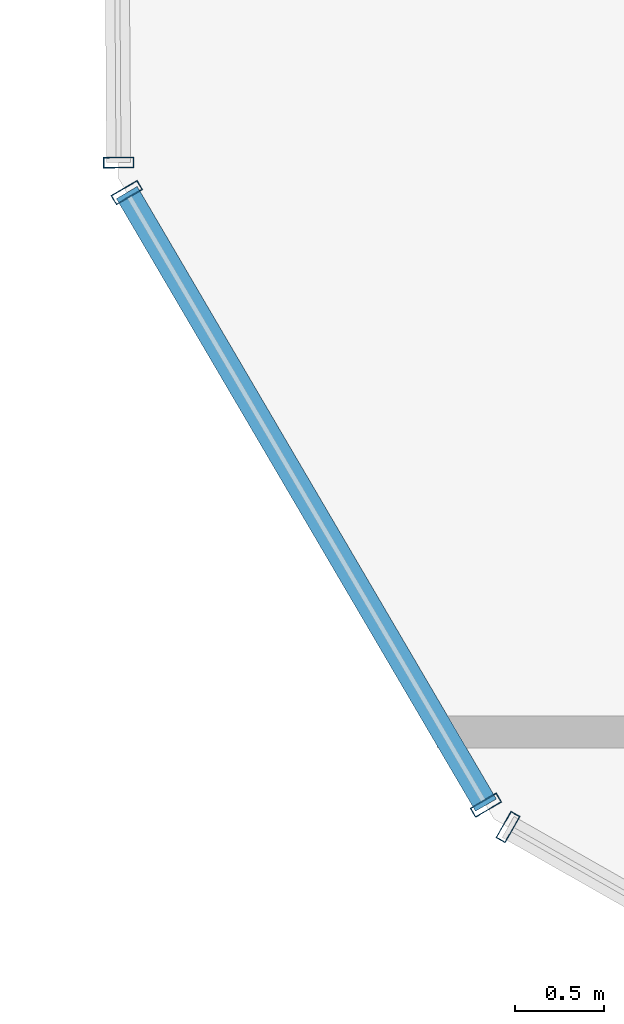
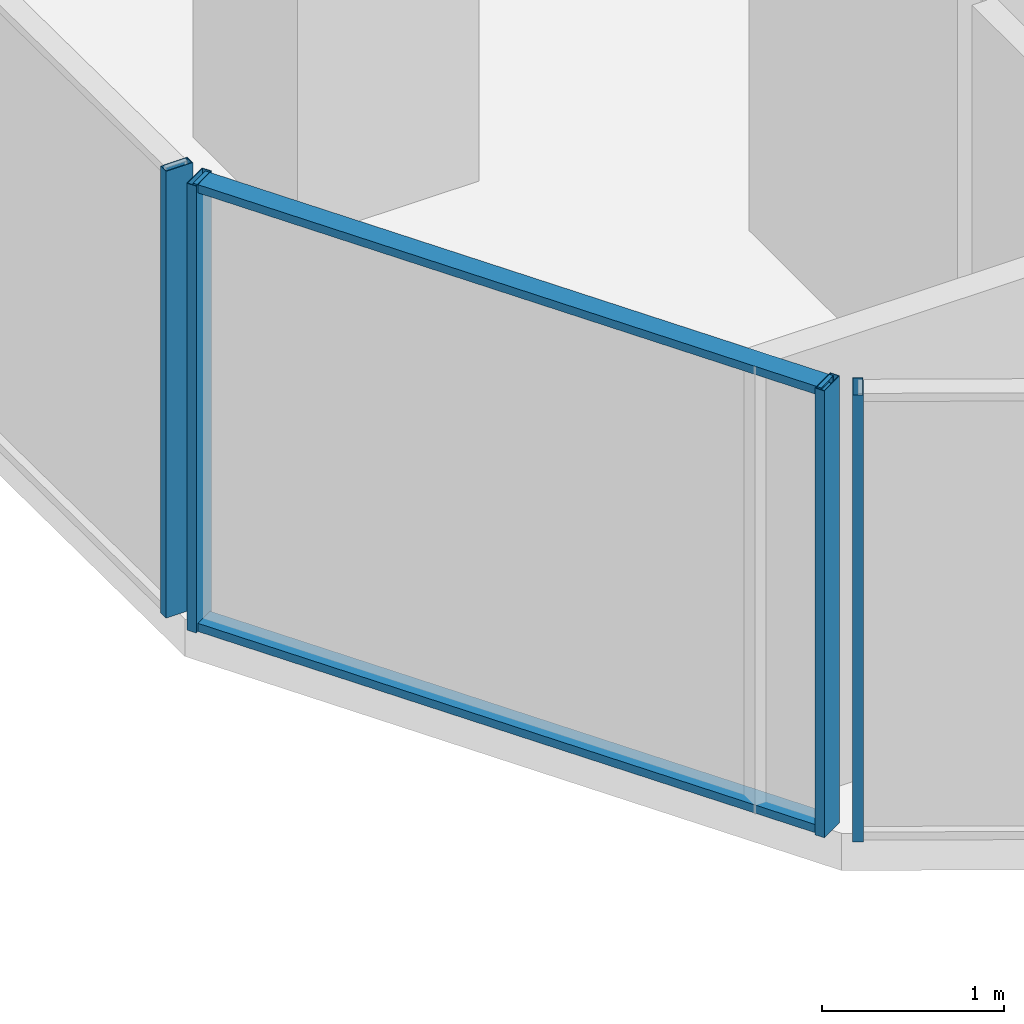
# One storey, part 4 of 30: 6 members, 3 elements without a shape of their own.
"""IFC4 building model written with IfcOpenShell, lengths in metres."""

from ifc_helpers import new_model, si_unit, direction, frame, origin, origin_2d, place, context, subcontext, project, spatial, hollow_rectangle, extrude, source, transform, mapped, material, layer, layer_set, material_profile, profile_set, type_object, element, aggregate, save


model = new_model("IFC4")

# Units and contexts
model_context = context("Model", 3, precision=1e-05, world=origin(), true_north=direction((0.0, 1.0)))
body_context = subcontext(model_context, "Body", "Model", "MODEL_VIEW")
ifc_project = project(units=[si_unit("LENGTHUNIT", "METRE"), si_unit("AREAUNIT", "SQUARE_METRE"), si_unit("VOLUMEUNIT", "CUBIC_METRE"), si_unit("PLANEANGLEUNIT", "RADIAN"), si_unit("MASSUNIT", "GRAM", prefix="KILO")], contexts=[model_context])

# Site, building, storey
site_placement = place(None, origin())
site = spatial("IfcSite", under=ifc_project, at=site_placement, CompositionType="ELEMENT")
building_placement = place(site_placement, origin())
building = spatial("IfcBuilding", under=site, at=building_placement, Name="Veraguas Prism Commons", CompositionType="ELEMENT")
storey_placement = place(building_placement, frame((0.0, 0.0, 129.5)))
storey = spatial("IfcBuildingStorey", under=building, at=storey_placement, Name="L36", CompositionType="ELEMENT", Elevation=129.5)

# Curtain wall, member
ifc_material = material(Name="Anodised aluminium EN AW-6063 T6", Category="aluminium")
ifc_layer = layer(ifc_material, 0.169921875, Name="Unitised Flush Curtain Wall Zone 2", Category="aluminium")
ifc_layer_set = layer_set([ifc_layer], Name="Anodised aluminium EN AW-6063 T6")
curtain_wall_type = type_object("IfcCurtainWallType", Name="Unitised Flush Curtain Wall Zone 2", PredefinedType="NOTDEFINED", material=ifc_layer_set)
curtain_wall_1_placement = place(storey_placement, origin())
curtain_wall_1 = element("IfcCurtainWall", 1, at=curtain_wall_1_placement, inside=storey, type_object=curtain_wall_type, Name="Tower Facade Curtain Wall L36-F3", PredefinedType="NOTDEFINED")
ifc_material_profile_1 = material_profile(ifc_material, hollow_rectangle(XDim=0.06005859375, YDim=0.169921875, WallThickness=0.00390625, at=origin_2d()), Name="AL60X170X4")
ifc_profile_set_1 = profile_set([ifc_material_profile_1], Name="Anodised aluminium EN AW-6063 T6")
member_type_1 = type_object("IfcMemberType", Name="Curtain Wall Mullion Lower AL 60x170x4", PredefinedType="MULLION", material=ifc_profile_set_1)
shared_shape_1 = source(origin(), body_context, "Body", "SweptSolid", [
    extrude(hollow_rectangle(XDim=0.06005859375, YDim=0.169921875, WallThickness=0.00390625, at=origin_2d()), origin(), (0.0, 0.0, 1.0), 3.0),
])
member_1_placement = place(storey_placement, frame((4.875, 15.285888671875, 0.0), z_axis=(0.0, 0.0, 1.0), x_axis=(0.006632202536, -0.999978006703, 0.0)))
member_1 = element("IfcMember", 2, at=member_1_placement, type_object=member_type_1, Name="CW-Z2 Mullion 5", PredefinedType="MULLION", context=body_context, shape_type="MappedRepresentation", body=[
    mapped(shared_shape_1, transform((0.0, 0.0, 0.0), scale=1.0)),
])
aggregate(curtain_wall_1, [member_1])

curtain_wall_2_placement = place(storey_placement, origin())
curtain_wall_2 = element("IfcCurtainWall", 3, at=curtain_wall_2_placement, inside=storey, type_object=curtain_wall_type, Name="Tower Facade Curtain Wall L36-F4", PredefinedType="NOTDEFINED")
member_2_placement = place(storey_placement, frame((7.05419921875, 11.568359375, 0.0), z_axis=(0.0, 0.0, 1.0), x_axis=(0.869323320918, -0.494243830218, 0.0)))
member_2 = element("IfcMember", 4, at=member_2_placement, type_object=member_type_1, Name="CW-Z2 Mullion 1", PredefinedType="MULLION", context=body_context, shape_type="MappedRepresentation", body=[
    mapped(shared_shape_1, transform((0.0, 0.0, 0.0), scale=1.0)),
])
aggregate(curtain_wall_2, [member_2])

# Curtain wall, members
curtain_wall_3_placement = place(storey_placement, origin())
curtain_wall_3 = element("IfcCurtainWall", 5, at=curtain_wall_3_placement, inside=storey, type_object=curtain_wall_type, Name="Chamfer Curtain Wall L36-C4", PredefinedType="NOTDEFINED")
member_3_placement = place(storey_placement, frame((4.9208984375, 15.1181640625, 0.0), z_axis=(0.0, 0.0, 1.0), x_axis=(0.505758255543, -0.862675249993, 0.0)))
member_3 = element("IfcMember", 6, at=member_3_placement, type_object=member_type_1, Name="CW-Z2 Mullion 1", PredefinedType="MULLION", context=body_context, shape_type="MappedRepresentation", body=[
    mapped(shared_shape_1, transform((0.0, 0.0, 0.0), scale=1.0)),
])
member_4_placement = place(storey_placement, frame((6.930419921875, 11.690673828125, 0.0), z_axis=(0.0, 0.0, 1.0), x_axis=(0.505758255543, -0.862675249993, 0.0)))
member_4 = element("IfcMember", 7, at=member_4_placement, type_object=member_type_1, Name="CW-Z2 Mullion 2", PredefinedType="MULLION", context=body_context, shape_type="MappedRepresentation", body=[
    mapped(shared_shape_1, transform((0.0, 0.0, 0.0), scale=1.0)),
])
ifc_material_profile_2 = material_profile(ifc_material, hollow_rectangle(XDim=0.054931640625, YDim=0.135009765625, WallThickness=0.0029296875, at=origin_2d()), Name="AL55X135X3")
ifc_profile_set_2 = profile_set([ifc_material_profile_2], Name="Anodised aluminium EN AW-6063 T6")
member_type_2 = type_object("IfcMemberType", Name="Curtain Wall Transom Standard AL 55x135x3", PredefinedType="USERDEFINED", material=ifc_profile_set_2)
shared_shape_2 = source(origin(), body_context, "Body", "SweptSolid", [
    extrude(hollow_rectangle(XDim=0.054931640625, YDim=0.135009765625, WallThickness=0.0029296875, at=origin_2d()), origin(), (0.0, 0.0, 1.0), 3.97314453125),
])
member_5_placement = place(storey_placement, frame((4.9208984375, 15.1181640625, 0.027587890625), z_axis=(0.505776269795, -0.862664688574, 0.0), x_axis=(0.0, 0.0, 1.0)))
member_5 = element("IfcMember", 8, at=member_5_placement, type_object=member_type_2, Name="CW-Z2 Transom 1", ObjectType="TRANSOM", PredefinedType="USERDEFINED", context=body_context, shape_type="MappedRepresentation", body=[
    mapped(shared_shape_2, transform((0.0, 0.0, 0.0), scale=1.0)),
])
member_6_placement = place(storey_placement, frame((4.9208984375, 15.1181640625, 2.972412109375), z_axis=(0.505776269795, -0.862664688574, 0.0), x_axis=(0.0, 0.0, 1.0)))
member_6 = element("IfcMember", 9, at=member_6_placement, type_object=member_type_2, Name="CW-Z2 Transom 2", ObjectType="TRANSOM", PredefinedType="USERDEFINED", context=body_context, shape_type="MappedRepresentation", body=[
    mapped(shared_shape_2, transform((0.0, 0.0, 0.0), scale=1.0)),
])
aggregate(curtain_wall_3, [member_3, member_4, member_5, member_6])

save(model, "model.ifc")
